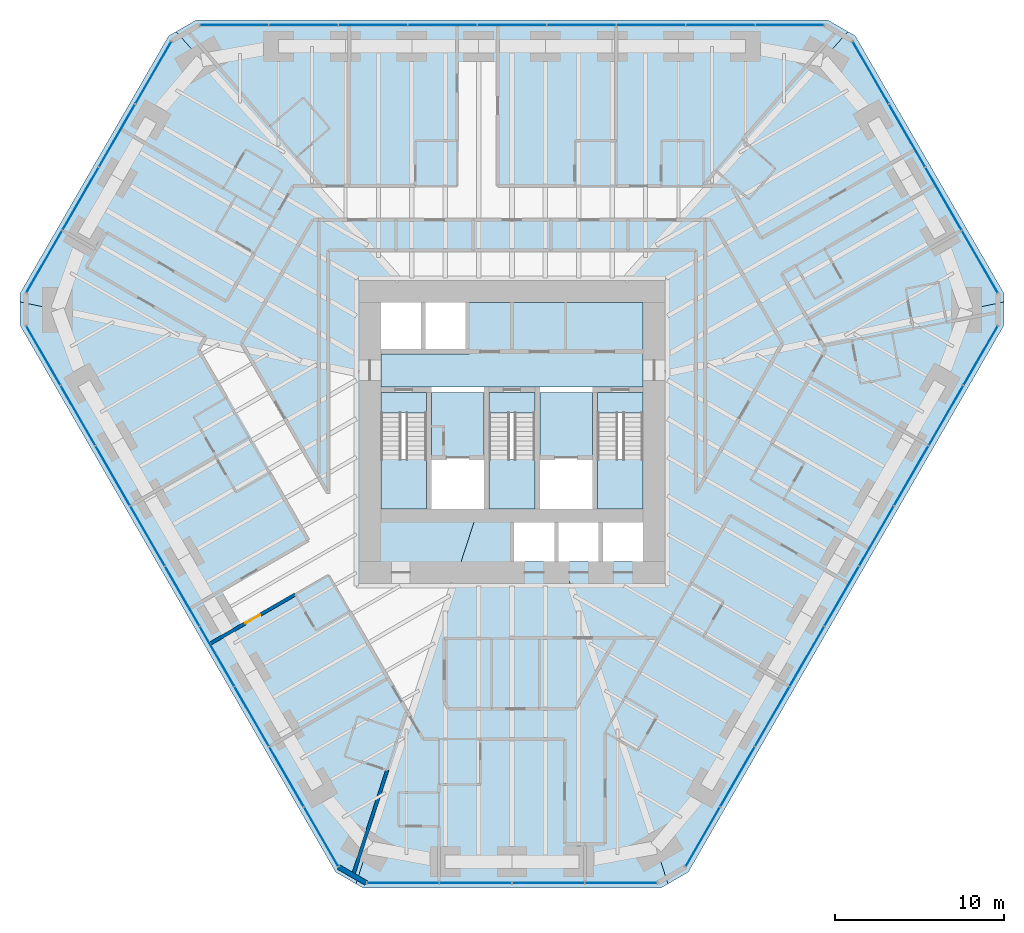
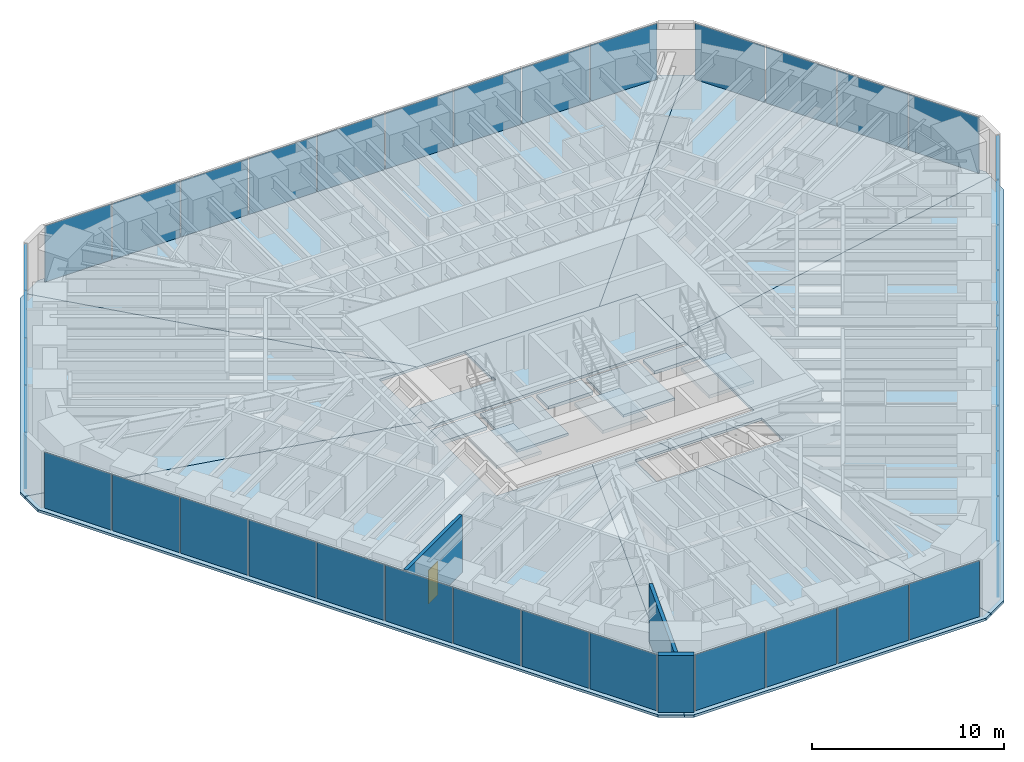
# One storey, part 10 of 17: 39 plates, 15 slabs, 3 walls, 1 door, 1 opening, 9 elements without a shape of their own.
"""IFC4 building model written with IfcOpenShell, lengths in metres."""

from ifc_helpers import new_model, si_unit, direction, frame, frame_2d, origin, origin_2d, place, context, subcontext, project, spatial, polyline, rectangle, outline, extrude, material, layer, layer_set, type_object, element, fill, aggregate, save


model = new_model("IFC4")

# Units and contexts
model_context = context("Model", 3, precision=1e-05, world=origin(), true_north=direction((0.0, 1.0)))
body_context = subcontext(model_context, "Body", "Model", "MODEL_VIEW")
ifc_project = project(units=[si_unit("LENGTHUNIT", "METRE"), si_unit("AREAUNIT", "SQUARE_METRE"), si_unit("VOLUMEUNIT", "CUBIC_METRE"), si_unit("PLANEANGLEUNIT", "RADIAN"), si_unit("MASSUNIT", "GRAM", prefix="KILO")], contexts=[model_context])

# Site, building, storey
site_placement = place(None, origin())
site = spatial("IfcSite", under=ifc_project, at=site_placement, CompositionType="ELEMENT")
building_placement = place(site_placement, origin())
building = spatial("IfcBuilding", under=site, at=building_placement, Name="Sandreach Pilgrim Tower", CompositionType="ELEMENT")
storey_placement = place(building_placement, frame((0.0, 0.0, 123.39990234375)))
storey = spatial("IfcBuildingStorey", under=building, at=storey_placement, Name="L30", CompositionType="ELEMENT", Elevation=123.39990234375)

# Curtain wall, plates
ifc_material_1 = material(Name="Aluminium framed curtain wall", Category="aluminium")
curtain_wall_type = type_object("IfcCurtainWallType", Name="Hotel tower curtain wall", PredefinedType="NOTDEFINED", material=ifc_material_1)
curtain_wall_1_placement = place(storey_placement, origin())
curtain_wall_1 = element("IfcCurtainWall", 1, at=curtain_wall_1_placement, inside=storey, type_object=curtain_wall_type, Name="CW-2 L30 N", PredefinedType="NOTDEFINED")
ifc_material_2 = material(Name="Insulating glass unit 8 heat-strengthened + 16 argon + 8 heat-strengthened", Category="glass")
ifc_layer_1 = layer(ifc_material_2, 0.031982421875)
ifc_layer_set_1 = layer_set([ifc_layer_1], Name="CW-2 panel")
plate_type = type_object("IfcPlateType", Name="CW-2 panel", PredefinedType="CURTAIN_PANEL", material=ifc_layer_set_1)
plate_1_placement = place(storey_placement, frame((-16.41162109375, 22.493896484375, 0.0), z_axis=(0.0, 0.0, 1.0), x_axis=(1.0, 0.0, 0.0)))
plate_1 = element("IfcPlate", 2, at=plate_1_placement, type_object=plate_type, Name="CW-2 panel 1", PredefinedType="CURTAIN_PANEL", context=body_context, shape_type="SweptSolid", body=[
    extrude(rectangle(XDim=4.009521484375, YDim=0.031982421875, at=origin_2d()), origin(), (0.0, 0.0, 1.0), 3.570068359375),
])
plate_2_placement = place(storey_placement, frame((-12.32080078125, 22.493896484375, 0.0), z_axis=(0.0, 0.0, 1.0), x_axis=(1.0, 0.0, 0.0)))
plate_2 = element("IfcPlate", 3, at=plate_2_placement, type_object=plate_type, Name="CW-2 panel 2", PredefinedType="CURTAIN_PANEL", context=body_context, shape_type="SweptSolid", body=[
    extrude(rectangle(XDim=4.0419921875, YDim=0.031982421875, at=origin_2d()), origin(), (0.0, 0.0, 1.0), 3.570068359375),
])
plate_3_placement = place(storey_placement, frame((-8.2138671875, 22.493896484375, 0.0), z_axis=(0.0, 0.0, 1.0), x_axis=(1.0, 0.0, 0.0)))
plate_3 = element("IfcPlate", 4, at=plate_3_placement, type_object=plate_type, Name="CW-2 panel 3", PredefinedType="CURTAIN_PANEL", context=body_context, shape_type="SweptSolid", body=[
    extrude(rectangle(XDim=4.0419921875, YDim=0.031982421875, at=origin_2d()), origin(), (0.0, 0.0, 1.0), 3.570068359375),
])
plate_4_placement = place(storey_placement, frame((-4.10693359375, 22.493896484375, 0.0), z_axis=(0.0, 0.0, 1.0), x_axis=(1.0, 0.0, 0.0)))
plate_4 = element("IfcPlate", 5, at=plate_4_placement, type_object=plate_type, Name="CW-2 panel 4", PredefinedType="CURTAIN_PANEL", context=body_context, shape_type="SweptSolid", body=[
    extrude(rectangle(XDim=4.0419921875, YDim=0.031982421875, at=origin_2d()), origin(), (0.0, 0.0, 1.0), 3.570068359375),
])
plate_5_placement = place(storey_placement, frame((0.0, 22.493896484375, 0.0), z_axis=(0.0, 0.0, 1.0), x_axis=(1.0, 0.0, 0.0)))
plate_5 = element("IfcPlate", 6, at=plate_5_placement, type_object=plate_type, Name="CW-2 panel 5", PredefinedType="CURTAIN_PANEL", context=body_context, shape_type="SweptSolid", body=[
    extrude(rectangle(XDim=4.0419921875, YDim=0.031982421875, at=origin_2d()), origin(), (0.0, 0.0, 1.0), 3.570068359375),
])
plate_6_placement = place(storey_placement, frame((4.10693359375, 22.493896484375, 0.0), z_axis=(0.0, 0.0, 1.0), x_axis=(1.0, 0.0, 0.0)))
plate_6 = element("IfcPlate", 7, at=plate_6_placement, type_object=plate_type, Name="CW-2 panel 6", PredefinedType="CURTAIN_PANEL", context=body_context, shape_type="SweptSolid", body=[
    extrude(rectangle(XDim=4.0419921875, YDim=0.031982421875, at=origin_2d()), origin(), (0.0, 0.0, 1.0), 3.570068359375),
])
plate_7_placement = place(storey_placement, frame((8.2138671875, 22.493896484375, 0.0), z_axis=(0.0, 0.0, 1.0), x_axis=(1.0, 0.0, 0.0)))
plate_7 = element("IfcPlate", 8, at=plate_7_placement, type_object=plate_type, Name="CW-2 panel 7", PredefinedType="CURTAIN_PANEL", context=body_context, shape_type="SweptSolid", body=[
    extrude(rectangle(XDim=4.0419921875, YDim=0.031982421875, at=origin_2d()), origin(), (0.0, 0.0, 1.0), 3.570068359375),
])
plate_8_placement = place(storey_placement, frame((12.32080078125, 22.493896484375, 0.0), z_axis=(0.0, 0.0, 1.0), x_axis=(1.0, 0.0, 0.0)))
plate_8 = element("IfcPlate", 9, at=plate_8_placement, type_object=plate_type, Name="CW-2 panel 8", PredefinedType="CURTAIN_PANEL", context=body_context, shape_type="SweptSolid", body=[
    extrude(rectangle(XDim=4.0419921875, YDim=0.031982421875, at=origin_2d()), origin(), (0.0, 0.0, 1.0), 3.570068359375),
])
plate_9_placement = place(storey_placement, frame((16.41162109375, 22.493896484375, 0.0), z_axis=(0.0, 0.0, 1.0), x_axis=(1.0, 0.0, 0.0)))
plate_9 = element("IfcPlate", 10, at=plate_9_placement, type_object=plate_type, Name="CW-2 panel 9", PredefinedType="CURTAIN_PANEL", context=body_context, shape_type="SweptSolid", body=[
    extrude(rectangle(XDim=4.009521484375, YDim=0.031982421875, at=origin_2d()), origin(), (0.0, 0.0, 1.0), 3.570068359375),
])
aggregate(curtain_wall_1, [plate_1, plate_2, plate_3, plate_4, plate_5, plate_6, plate_7, plate_8, plate_9])

curtain_wall_2_placement = place(storey_placement, origin())
curtain_wall_2 = element("IfcCurtainWall", 11, at=curtain_wall_2_placement, inside=storey, type_object=curtain_wall_type, Name="CW-2 L30 NE", PredefinedType="NOTDEFINED")
plate_10_placement = place(storey_placement, frame((21.194091796875, 19.67529296875, 0.0), z_axis=(0.0, 0.0, 1.0), x_axis=(0.5, -0.866025403784, 0.0)))
plate_10 = element("IfcPlate", 12, at=plate_10_placement, type_object=plate_type, Name="CW-2 panel 1", PredefinedType="CURTAIN_PANEL", context=body_context, shape_type="SweptSolid", body=[
    extrude(rectangle(XDim=4.208251953125, YDim=0.031982421875, at=origin_2d()), origin(), (0.0, 0.0, 1.0), 3.570068359375),
])
plate_11_placement = place(storey_placement, frame((23.3388671875, 15.96044921875, 0.0), z_axis=(0.0, 0.0, 1.0), x_axis=(0.5, -0.866025403784, 0.0)))
plate_11 = element("IfcPlate", 13, at=plate_11_placement, type_object=plate_type, Name="CW-2 panel 2", PredefinedType="CURTAIN_PANEL", context=body_context, shape_type="SweptSolid", body=[
    extrude(rectangle(XDim=4.24072265625, YDim=0.031982421875, at=origin_2d()), origin(), (0.0, 0.0, 1.0), 3.570068359375),
])
plate_12_placement = place(storey_placement, frame((25.49169921875, 12.231689453125, 0.0), z_axis=(0.0, 0.0, 1.0), x_axis=(0.5, -0.866025403784, 0.0)))
plate_12 = element("IfcPlate", 14, at=plate_12_placement, type_object=plate_type, Name="CW-2 panel 3", PredefinedType="CURTAIN_PANEL", context=body_context, shape_type="SweptSolid", body=[
    extrude(rectangle(XDim=4.24072265625, YDim=0.031982421875, at=origin_2d()), origin(), (0.0, 0.0, 1.0), 3.570068359375),
])
plate_13_placement = place(storey_placement, frame((27.63623046875, 8.516845703125, 0.0), z_axis=(0.0, 0.0, 1.0), x_axis=(0.5, -0.866025403784, 0.0)))
plate_13 = element("IfcPlate", 15, at=plate_13_placement, type_object=plate_type, Name="CW-2 panel 4", PredefinedType="CURTAIN_PANEL", context=body_context, shape_type="SweptSolid", body=[
    extrude(rectangle(XDim=4.208251953125, YDim=0.031982421875, at=origin_2d()), origin(), (0.0, 0.0, 1.0), 3.570068359375),
])
aggregate(curtain_wall_2, [plate_10, plate_11, plate_12, plate_13])

curtain_wall_3_placement = place(storey_placement, origin())
curtain_wall_3 = element("IfcCurtainWall", 16, at=curtain_wall_3_placement, inside=storey, type_object=curtain_wall_type, Name="CW-2 L30 SE", PredefinedType="NOTDEFINED")
plate_14_placement = place(storey_placement, frame((27.68603515625, 2.966064453125, 0.0), z_axis=(0.0, 0.0, 1.0), x_axis=(-0.5, -0.866025403784, 0.0)))
plate_14 = element("IfcPlate", 17, at=plate_14_placement, type_object=plate_type, Name="CW-2 panel 1", PredefinedType="CURTAIN_PANEL", context=body_context, shape_type="SweptSolid", body=[
    extrude(rectangle(XDim=4.009521484375, YDim=0.031982421875, at=origin_2d()), origin(), (0.0, 0.0, 1.0), 3.570068359375),
])
plate_15_placement = place(storey_placement, frame((25.640625, -0.57666015625, 0.0), z_axis=(0.0, 0.0, 1.0), x_axis=(-0.5, -0.866025403784, 0.0)))
plate_15 = element("IfcPlate", 18, at=plate_15_placement, type_object=plate_type, Name="CW-2 panel 2", PredefinedType="CURTAIN_PANEL", context=body_context, shape_type="SweptSolid", body=[
    extrude(rectangle(XDim=4.0419921875, YDim=0.031982421875, at=origin_2d()), origin(), (0.0, 0.0, 1.0), 3.570068359375),
])
plate_16_placement = place(storey_placement, frame((23.587158203125, -4.13330078125, 0.0), z_axis=(0.0, 0.0, 1.0), x_axis=(-0.5, -0.866025403784, 0.0)))
plate_16 = element("IfcPlate", 19, at=plate_16_placement, type_object=plate_type, Name="CW-2 panel 3", PredefinedType="CURTAIN_PANEL", context=body_context, shape_type="SweptSolid", body=[
    extrude(rectangle(XDim=4.0419921875, YDim=0.031982421875, at=origin_2d()), origin(), (0.0, 0.0, 1.0), 3.570068359375),
])
plate_17_placement = place(storey_placement, frame((21.53369140625, -7.690185546875, 0.0), z_axis=(0.0, 0.0, 1.0), x_axis=(-0.5, -0.866025403784, 0.0)))
plate_17 = element("IfcPlate", 20, at=plate_17_placement, type_object=plate_type, Name="CW-2 panel 4", PredefinedType="CURTAIN_PANEL", context=body_context, shape_type="SweptSolid", body=[
    extrude(rectangle(XDim=4.0419921875, YDim=0.031982421875, at=origin_2d()), origin(), (0.0, 0.0, 1.0), 3.570068359375),
])
plate_18_placement = place(storey_placement, frame((19.480224609375, -11.246826171875, 0.0), z_axis=(0.0, 0.0, 1.0), x_axis=(-0.5, -0.866025403784, 0.0)))
plate_18 = element("IfcPlate", 21, at=plate_18_placement, type_object=plate_type, Name="CW-2 panel 5", PredefinedType="CURTAIN_PANEL", context=body_context, shape_type="SweptSolid", body=[
    extrude(rectangle(XDim=4.0419921875, YDim=0.031982421875, at=origin_2d()), origin(), (0.0, 0.0, 1.0), 3.570068359375),
])
plate_19_placement = place(storey_placement, frame((17.4267578125, -14.8037109375, 0.0), z_axis=(0.0, 0.0, 1.0), x_axis=(-0.5, -0.866025403784, 0.0)))
plate_19 = element("IfcPlate", 22, at=plate_19_placement, type_object=plate_type, Name="CW-2 panel 6", PredefinedType="CURTAIN_PANEL", context=body_context, shape_type="SweptSolid", body=[
    extrude(rectangle(XDim=4.0419921875, YDim=0.031982421875, at=origin_2d()), origin(), (0.0, 0.0, 1.0), 3.570068359375),
])
plate_20_placement = place(storey_placement, frame((15.373291015625, -18.3603515625, 0.0), z_axis=(0.0, 0.0, 1.0), x_axis=(-0.5, -0.866025403784, 0.0)))
plate_20 = element("IfcPlate", 23, at=plate_20_placement, type_object=plate_type, Name="CW-2 panel 7", PredefinedType="CURTAIN_PANEL", context=body_context, shape_type="SweptSolid", body=[
    extrude(rectangle(XDim=4.0419921875, YDim=0.031982421875, at=origin_2d()), origin(), (0.0, 0.0, 1.0), 3.570068359375),
])
plate_21_placement = place(storey_placement, frame((13.31982421875, -21.917236328125, 0.0), z_axis=(0.0, 0.0, 1.0), x_axis=(-0.5, -0.866025403784, 0.0)))
plate_21 = element("IfcPlate", 24, at=plate_21_placement, type_object=plate_type, Name="CW-2 panel 8", PredefinedType="CURTAIN_PANEL", context=body_context, shape_type="SweptSolid", body=[
    extrude(rectangle(XDim=4.0419921875, YDim=0.031982421875, at=origin_2d()), origin(), (0.0, 0.0, 1.0), 3.570068359375),
])
plate_22_placement = place(storey_placement, frame((11.2744140625, -25.459716796875, 0.0), z_axis=(0.0, 0.0, 1.0), x_axis=(-0.5, -0.866025403784, 0.0)))
plate_22 = element("IfcPlate", 25, at=plate_22_placement, type_object=plate_type, Name="CW-2 panel 9", PredefinedType="CURTAIN_PANEL", context=body_context, shape_type="SweptSolid", body=[
    extrude(rectangle(XDim=4.009521484375, YDim=0.031982421875, at=origin_2d()), origin(), (0.0, 0.0, 1.0), 3.570068359375),
])
aggregate(curtain_wall_3, [plate_14, plate_15, plate_16, plate_17, plate_18, plate_19, plate_20, plate_21, plate_22])

curtain_wall_4_placement = place(storey_placement, origin())
curtain_wall_4 = element("IfcCurtainWall", 26, at=curtain_wall_4_placement, inside=storey, type_object=curtain_wall_type, Name="CW-2 L30 S", PredefinedType="NOTDEFINED")
plate_23_placement = place(storey_placement, frame((6.4423828125, -28.192138671875, 0.0), z_axis=(0.0, 0.0, 1.0), x_axis=(-1.0, 0.0, 0.0)))
plate_23 = element("IfcPlate", 27, at=plate_23_placement, type_object=plate_type, Name="CW-2 panel 1", PredefinedType="CURTAIN_PANEL", context=body_context, shape_type="SweptSolid", body=[
    extrude(rectangle(XDim=4.208251953125, YDim=0.031982421875, at=origin_2d()), origin(), (0.0, 0.0, 1.0), 3.570068359375),
])
plate_24_placement = place(storey_placement, frame((2.15283203125, -28.192138671875, 0.0), z_axis=(0.0, 0.0, 1.0), x_axis=(-1.0, 0.0, 0.0)))
plate_24 = element("IfcPlate", 28, at=plate_24_placement, type_object=plate_type, Name="CW-2 panel 2", PredefinedType="CURTAIN_PANEL", context=body_context, shape_type="SweptSolid", body=[
    extrude(rectangle(XDim=4.24072265625, YDim=0.031982421875, at=origin_2d()), origin(), (0.0, 0.0, 1.0), 3.570068359375),
])
plate_25_placement = place(storey_placement, frame((-2.15283203125, -28.192138671875, 0.0), z_axis=(0.0, 0.0, 1.0), x_axis=(-1.0, 0.0, 0.0)))
plate_25 = element("IfcPlate", 29, at=plate_25_placement, type_object=plate_type, Name="CW-2 panel 3", PredefinedType="CURTAIN_PANEL", context=body_context, shape_type="SweptSolid", body=[
    extrude(rectangle(XDim=4.24072265625, YDim=0.031982421875, at=origin_2d()), origin(), (0.0, 0.0, 1.0), 3.570068359375),
])
plate_26_placement = place(storey_placement, frame((-6.4423828125, -28.192138671875, 0.0), z_axis=(0.0, 0.0, 1.0), x_axis=(-1.0, 0.0, 0.0)))
plate_26 = element("IfcPlate", 30, at=plate_26_placement, type_object=plate_type, Name="CW-2 panel 4", PredefinedType="CURTAIN_PANEL", context=body_context, shape_type="SweptSolid", body=[
    extrude(rectangle(XDim=4.208251953125, YDim=0.031982421875, at=origin_2d()), origin(), (0.0, 0.0, 1.0), 3.570068359375),
])
aggregate(curtain_wall_4, [plate_23, plate_24, plate_25, plate_26])

curtain_wall_5_placement = place(storey_placement, origin())
curtain_wall_5 = element("IfcCurtainWall", 31, at=curtain_wall_5_placement, inside=storey, type_object=curtain_wall_type, Name="CW-2 L30 SW", PredefinedType="NOTDEFINED")
plate_27_placement = place(storey_placement, frame((-11.2744140625, -25.459716796875, 0.0), z_axis=(0.0, 0.0, 1.0), x_axis=(-0.5, 0.866025403784, 0.0)))
plate_27 = element("IfcPlate", 32, at=plate_27_placement, type_object=plate_type, Name="CW-2 panel 1", PredefinedType="CURTAIN_PANEL", context=body_context, shape_type="SweptSolid", body=[
    extrude(rectangle(XDim=4.009521484375, YDim=0.031982421875, at=origin_2d()), origin(), (0.0, 0.0, 1.0), 3.570068359375),
])
plate_28_placement = place(storey_placement, frame((-13.31982421875, -21.917236328125, 0.0), z_axis=(0.0, 0.0, 1.0), x_axis=(-0.5, 0.866025403784, 0.0)))
plate_28 = element("IfcPlate", 33, at=plate_28_placement, type_object=plate_type, Name="CW-2 panel 2", PredefinedType="CURTAIN_PANEL", context=body_context, shape_type="SweptSolid", body=[
    extrude(rectangle(XDim=4.0419921875, YDim=0.031982421875, at=origin_2d()), origin(), (0.0, 0.0, 1.0), 3.570068359375),
])
plate_29_placement = place(storey_placement, frame((-15.373291015625, -18.3603515625, 0.0), z_axis=(0.0, 0.0, 1.0), x_axis=(-0.5, 0.866025403784, 0.0)))
plate_29 = element("IfcPlate", 34, at=plate_29_placement, type_object=plate_type, Name="CW-2 panel 3", PredefinedType="CURTAIN_PANEL", context=body_context, shape_type="SweptSolid", body=[
    extrude(rectangle(XDim=4.0419921875, YDim=0.031982421875, at=origin_2d()), origin(), (0.0, 0.0, 1.0), 3.570068359375),
])
plate_30_placement = place(storey_placement, frame((-17.4267578125, -14.8037109375, 0.0), z_axis=(0.0, 0.0, 1.0), x_axis=(-0.5, 0.866025403784, 0.0)))
plate_30 = element("IfcPlate", 35, at=plate_30_placement, type_object=plate_type, Name="CW-2 panel 4", PredefinedType="CURTAIN_PANEL", context=body_context, shape_type="SweptSolid", body=[
    extrude(rectangle(XDim=4.0419921875, YDim=0.031982421875, at=origin_2d()), origin(), (0.0, 0.0, 1.0), 3.570068359375),
])
plate_31_placement = place(storey_placement, frame((-19.480224609375, -11.246826171875, 0.0), z_axis=(0.0, 0.0, 1.0), x_axis=(-0.5, 0.866025403784, 0.0)))
plate_31 = element("IfcPlate", 36, at=plate_31_placement, type_object=plate_type, Name="CW-2 panel 5", PredefinedType="CURTAIN_PANEL", context=body_context, shape_type="SweptSolid", body=[
    extrude(rectangle(XDim=4.0419921875, YDim=0.031982421875, at=origin_2d()), origin(), (0.0, 0.0, 1.0), 3.570068359375),
])
plate_32_placement = place(storey_placement, frame((-21.53369140625, -7.690185546875, 0.0), z_axis=(0.0, 0.0, 1.0), x_axis=(-0.5, 0.866025403784, 0.0)))
plate_32 = element("IfcPlate", 37, at=plate_32_placement, type_object=plate_type, Name="CW-2 panel 6", PredefinedType="CURTAIN_PANEL", context=body_context, shape_type="SweptSolid", body=[
    extrude(rectangle(XDim=4.0419921875, YDim=0.031982421875, at=origin_2d()), origin(), (0.0, 0.0, 1.0), 3.570068359375),
])
plate_33_placement = place(storey_placement, frame((-23.587158203125, -4.13330078125, 0.0), z_axis=(0.0, 0.0, 1.0), x_axis=(-0.5, 0.866025403784, 0.0)))
plate_33 = element("IfcPlate", 38, at=plate_33_placement, type_object=plate_type, Name="CW-2 panel 7", PredefinedType="CURTAIN_PANEL", context=body_context, shape_type="SweptSolid", body=[
    extrude(rectangle(XDim=4.0419921875, YDim=0.031982421875, at=origin_2d()), origin(), (0.0, 0.0, 1.0), 3.570068359375),
])
plate_34_placement = place(storey_placement, frame((-25.640625, -0.57666015625, 0.0), z_axis=(0.0, 0.0, 1.0), x_axis=(-0.5, 0.866025403784, 0.0)))
plate_34 = element("IfcPlate", 39, at=plate_34_placement, type_object=plate_type, Name="CW-2 panel 8", PredefinedType="CURTAIN_PANEL", context=body_context, shape_type="SweptSolid", body=[
    extrude(rectangle(XDim=4.0419921875, YDim=0.031982421875, at=origin_2d()), origin(), (0.0, 0.0, 1.0), 3.570068359375),
])
plate_35_placement = place(storey_placement, frame((-27.68603515625, 2.966064453125, 0.0), z_axis=(0.0, 0.0, 1.0), x_axis=(-0.5, 0.866025403784, 0.0)))
plate_35 = element("IfcPlate", 40, at=plate_35_placement, type_object=plate_type, Name="CW-2 panel 9", PredefinedType="CURTAIN_PANEL", context=body_context, shape_type="SweptSolid", body=[
    extrude(rectangle(XDim=4.009521484375, YDim=0.031982421875, at=origin_2d()), origin(), (0.0, 0.0, 1.0), 3.570068359375),
])
aggregate(curtain_wall_5, [plate_27, plate_28, plate_29, plate_30, plate_31, plate_32, plate_33, plate_34, plate_35])

curtain_wall_6_placement = place(storey_placement, origin())
curtain_wall_6 = element("IfcCurtainWall", 41, at=curtain_wall_6_placement, inside=storey, type_object=curtain_wall_type, Name="CW-2 L30 NW", PredefinedType="NOTDEFINED")
plate_36_placement = place(storey_placement, frame((-27.63623046875, 8.516845703125, 0.0), z_axis=(0.0, 0.0, 1.0), x_axis=(0.5, 0.866025403784, 0.0)))
plate_36 = element("IfcPlate", 42, at=plate_36_placement, type_object=plate_type, Name="CW-2 panel 1", PredefinedType="CURTAIN_PANEL", context=body_context, shape_type="SweptSolid", body=[
    extrude(rectangle(XDim=4.208251953125, YDim=0.031982421875, at=origin_2d()), origin(), (0.0, 0.0, 1.0), 3.570068359375),
])
plate_37_placement = place(storey_placement, frame((-25.49169921875, 12.231689453125, 0.0), z_axis=(0.0, 0.0, 1.0), x_axis=(0.5, 0.866025403784, 0.0)))
plate_37 = element("IfcPlate", 43, at=plate_37_placement, type_object=plate_type, Name="CW-2 panel 2", PredefinedType="CURTAIN_PANEL", context=body_context, shape_type="SweptSolid", body=[
    extrude(rectangle(XDim=4.24072265625, YDim=0.031982421875, at=origin_2d()), origin(), (0.0, 0.0, 1.0), 3.570068359375),
])
plate_38_placement = place(storey_placement, frame((-23.3388671875, 15.96044921875, 0.0), z_axis=(0.0, 0.0, 1.0), x_axis=(0.5, 0.866025403784, 0.0)))
plate_38 = element("IfcPlate", 44, at=plate_38_placement, type_object=plate_type, Name="CW-2 panel 3", PredefinedType="CURTAIN_PANEL", context=body_context, shape_type="SweptSolid", body=[
    extrude(rectangle(XDim=4.24072265625, YDim=0.031982421875, at=origin_2d()), origin(), (0.0, 0.0, 1.0), 3.570068359375),
])
plate_39_placement = place(storey_placement, frame((-21.194091796875, 19.67529296875, 0.0), z_axis=(0.0, 0.0, 1.0), x_axis=(0.5, 0.866025403784, 0.0)))
plate_39 = element("IfcPlate", 45, at=plate_39_placement, type_object=plate_type, Name="CW-2 panel 4", PredefinedType="CURTAIN_PANEL", context=body_context, shape_type="SweptSolid", body=[
    extrude(rectangle(XDim=4.208251953125, YDim=0.031982421875, at=origin_2d()), origin(), (0.0, 0.0, 1.0), 3.570068359375),
])
aggregate(curtain_wall_6, [plate_36, plate_37, plate_38, plate_39])

# Slabs
ifc_material_3 = material(Name="Concrete 8000 psi", Category="concrete")
ifc_layer_2 = layer(ifc_material_3, 0.159912109375)
ifc_layer_set_2 = layer_set([ifc_layer_2], Name="Composite floor slab 160")
slab_type_1 = type_object("IfcSlabType", Name="Composite floor slab 160", PredefinedType="FLOOR", material=ifc_layer_set_2)
slab_1_placement = place(storey_placement, frame((0.0, 0.0, -0.159912109375)))
element("IfcSlab", 46, at=slab_1_placement, inside=storey, type_object=slab_type_1, Name="Floor slab L30 N sector", PredefinedType="FLOOR", context=body_context, shape_type="SweptSolid", body=[
    extrude(outline(polyline([(-18.654541015625, 22.793701171875), (18.654541015625, 22.793701171875), (19.848388671875, 22.1044921875), (5.477294921875, 6.10009765625), (-5.477294921875, 6.10009765625), (-19.848388671875, 22.1044921875), (-18.654541015625, 22.793701171875)])), origin(), (0.0, 0.0, 1.0), 0.159912109375),
])
slab_2_placement = place(storey_placement, frame((0.0, 0.0, -0.159912109375)))
element("IfcSlab", 47, at=slab_2_placement, inside=storey, type_object=slab_type_1, Name="Floor slab L30 NE sector", PredefinedType="FLOOR", context=body_context, shape_type="SweptSolid", body=[
    extrude(outline(polyline([(20.28271484375, 21.853759765625), (29.0673828125, 6.638427734375), (29.0673828125, 6.13720703125), (7.75, 1.63623046875), (7.75, 6.10009765625), (5.477294921875, 6.10009765625), (19.848388671875, 22.1044921875), (20.28271484375, 21.853759765625)])), origin(), (0.0, 0.0, 1.0), 0.159912109375),
])
slab_3_placement = place(storey_placement, frame((0.0, 0.0, -0.159912109375)))
element("IfcSlab", 48, at=slab_3_placement, inside=storey, type_object=slab_type_1, Name="Floor slab L30 SE sector", PredefinedType="FLOOR", context=body_context, shape_type="SweptSolid", body=[
    extrude(outline(polyline([(29.0673828125, 4.75830078125), (10.41259765625, -27.55224609375), (9.21875, -28.241455078125), (3.003173828125, -9.199951171875), (7.75, -9.199951171875), (7.75, -6.89990234375), (2.252197265625, -6.89990234375), (1.9912109375, -6.10009765625), (7.75, -6.10009765625), (7.75, 1.63623046875), (29.0673828125, 6.13720703125), (29.0673828125, 4.75830078125)])), origin(), (0.0, 0.0, 1.0), 0.159912109375),
])
slab_4_placement = place(storey_placement, frame((0.0, 0.0, -0.159912109375)))
element("IfcSlab", 49, at=slab_4_placement, inside=storey, type_object=slab_type_1, Name="Floor slab L30 S sector", PredefinedType="FLOOR", context=body_context, shape_type="SweptSolid", body=[
    extrude(outline(polyline([(8.78466796875, -28.4921875), (-8.78466796875, -28.4921875), (-9.21875, -28.241455078125), (-1.9912109375, -6.10009765625), (1.9912109375, -6.10009765625), (2.252197265625, -6.89990234375), (0.125, -6.89990234375), (0.125, -9.199951171875), (3.003173828125, -9.199951171875), (9.21875, -28.241455078125), (8.78466796875, -28.4921875)])), origin(), (0.0, 0.0, 1.0), 0.159912109375),
])
slab_5_placement = place(storey_placement, frame((0.0, 0.0, -0.159912109375)))
element("IfcSlab", 50, at=slab_5_placement, inside=storey, type_object=slab_type_1, Name="Floor slab L30 SW sector", PredefinedType="FLOOR", context=body_context, shape_type="SweptSolid", body=[
    extrude(outline(polyline([(-10.41259765625, -27.55224609375), (-29.0673828125, 4.75830078125), (-29.0673828125, 6.13720703125), (-7.75, 1.63623046875), (-7.75, -6.10009765625), (-1.9912109375, -6.10009765625), (-9.21875, -28.241455078125), (-10.41259765625, -27.55224609375)])), origin(), (0.0, 0.0, 1.0), 0.159912109375),
])
slab_6_placement = place(storey_placement, frame((0.0, 0.0, -0.159912109375)))
element("IfcSlab", 51, at=slab_6_placement, inside=storey, type_object=slab_type_1, Name="Floor slab L30 NW sector", PredefinedType="FLOOR", context=body_context, shape_type="SweptSolid", body=[
    extrude(outline(polyline([(-29.0673828125, 6.638427734375), (-20.28271484375, 21.853759765625), (-19.848388671875, 22.1044921875), (-5.477294921875, 6.10009765625), (-7.75, 6.10009765625), (-7.75, 1.63623046875), (-29.0673828125, 6.13720703125), (-29.0673828125, 6.638427734375)])), origin(), (0.0, 0.0, 1.0), 0.159912109375),
])
slab_7_placement = place(storey_placement, frame((0.0, 0.0, -0.159912109375)))
element("IfcSlab", 52, at=slab_7_placement, inside=storey, type_object=slab_type_1, Name="Core floor slab and stores L30", PredefinedType="FLOOR", context=body_context, shape_type="SweptSolid", body=[
    extrude(outline(polyline([(-7.75, 3.050048828125), (-5.375, 3.050048828125), (-5.125, 3.050048828125), (-2.5, 3.050048828125), (-2.5, 3.35009765625), (-2.60009765625, 3.35009765625), (-2.60009765625, 6.10009765625), (7.75, 6.10009765625), (7.75, 1.10009765625), (5.050048828125, 1.10009765625), (4.75, 1.10009765625), (1.64990234375, 1.10009765625), (1.35009765625, 1.10009765625), (-1.35009765625, 1.10009765625), (-1.64990234375, 1.10009765625), (-4.75, 1.10009765625), (-5.050048828125, 1.10009765625), (-7.75, 1.10009765625), (-7.75, 3.050048828125)])), origin(), (0.0, 0.0, 1.0), 0.159912109375),
])
slab_8_placement = place(storey_placement, frame((0.0, 0.0, -0.159912109375)))
element("IfcSlab", 53, at=slab_8_placement, inside=storey, type_object=slab_type_1, Name="Core floor slab and stores L30 2", PredefinedType="FLOOR", context=body_context, shape_type="SweptSolid", body=[
    extrude(outline(polyline([(-1.64990234375, -3.050048828125), (-4.75, -3.050048828125), (-4.75, 0.800048828125), (-1.64990234375, 0.800048828125), (-1.64990234375, -3.050048828125)])), origin(), (0.0, 0.0, 1.0), 0.159912109375),
])
slab_9_placement = place(storey_placement, frame((0.0, 0.0, -0.159912109375)))
element("IfcSlab", 54, at=slab_9_placement, inside=storey, type_object=slab_type_1, Name="Core floor slab and stores L30 3", PredefinedType="FLOOR", context=body_context, shape_type="SweptSolid", body=[
    extrude(outline(polyline([(4.75, -3.050048828125), (1.64990234375, -3.050048828125), (1.64990234375, 0.800048828125), (4.75, 0.800048828125), (4.75, -3.050048828125)])), origin(), (0.0, 0.0, 1.0), 0.159912109375),
])

# Stair, slabs
ifc_material_4 = material(Name="Concrete 8000 psi", Category="concrete")
stair_type = type_object("IfcStairType", Name="Core exit stair", PredefinedType="HALF_TURN_STAIR", material=ifc_material_4)
stair_1_placement = place(storey_placement, origin())
stair_1 = element("IfcStair", 55, at=stair_1_placement, inside=storey, type_object=stair_type, Name="Exit stair ST1 L30", PredefinedType="HALF_TURN_STAIR")
ifc_material_5 = material(Name="Concrete 8000 psi", Category="concrete")
ifc_layer_3 = layer(ifc_material_5, 0.199951171875)
ifc_layer_set_3 = layer_set([ifc_layer_3], Name="Core stair landing 200")
slab_type_2 = type_object("IfcSlabType", Name="Core stair landing 200", PredefinedType="LANDING", material=ifc_layer_set_3)
slab_10_placement = place(storey_placement, frame((0.0, 0.0, -0.199951171875)))
slab_10 = element("IfcSlab", 56, at=slab_10_placement, type_object=slab_type_2, Name="ST1 landing 1", PredefinedType="LANDING", context=body_context, shape_type="SweptSolid", body=[
    extrude(outline(polyline([(-7.75, -0.425048828125), (-5.050048828125, -0.425048828125), (-5.050048828125, 0.800048828125), (-7.75, 0.800048828125), (-7.75, -0.425048828125)])), origin(), (0.0, 0.0, 1.0), 0.199951171875),
])
slab_11_placement = place(storey_placement, frame((0.0, 0.0, 1.7001953125)))
slab_11 = element("IfcSlab", 57, at=slab_11_placement, type_object=slab_type_2, Name="ST1 landing 2", PredefinedType="LANDING", context=body_context, shape_type="SweptSolid", body=[
    extrude(outline(polyline([(-7.75, -6.10009765625), (-5.050048828125, -6.10009765625), (-5.050048828125, -3.175048828125), (-7.75, -3.175048828125), (-7.75, -6.10009765625)])), origin(), (0.0, 0.0, 1.0), 0.199951171875),
])
aggregate(stair_1, [slab_10, slab_11])

stair_2_placement = place(storey_placement, origin())
stair_2 = element("IfcStair", 58, at=stair_2_placement, inside=storey, type_object=stair_type, Name="Exit stair ST3 L30", PredefinedType="HALF_TURN_STAIR")
slab_12_placement = place(storey_placement, frame((0.0, 0.0, -0.199951171875)))
slab_12 = element("IfcSlab", 59, at=slab_12_placement, type_object=slab_type_2, Name="ST3 landing 1", PredefinedType="LANDING", context=body_context, shape_type="SweptSolid", body=[
    extrude(outline(polyline([(-1.35009765625, -0.425048828125), (1.35009765625, -0.425048828125), (1.35009765625, 0.800048828125), (-1.35009765625, 0.800048828125), (-1.35009765625, -0.425048828125)])), origin(), (0.0, 0.0, 1.0), 0.199951171875),
])
slab_13_placement = place(storey_placement, frame((0.0, 0.0, 1.7001953125)))
slab_13 = element("IfcSlab", 60, at=slab_13_placement, type_object=slab_type_2, Name="ST3 landing 2", PredefinedType="LANDING", context=body_context, shape_type="SweptSolid", body=[
    extrude(outline(polyline([(-1.35009765625, -6.10009765625), (1.35009765625, -6.10009765625), (1.35009765625, -3.175048828125), (-1.35009765625, -3.175048828125), (-1.35009765625, -6.10009765625)])), origin(), (0.0, 0.0, 1.0), 0.199951171875),
])
aggregate(stair_2, [slab_12, slab_13])

stair_3_placement = place(storey_placement, origin())
stair_3 = element("IfcStair", 61, at=stair_3_placement, inside=storey, type_object=stair_type, Name="Exit stair ST2 L30", PredefinedType="HALF_TURN_STAIR")
slab_14_placement = place(storey_placement, frame((0.0, 0.0, -0.199951171875)))
slab_14 = element("IfcSlab", 62, at=slab_14_placement, type_object=slab_type_2, Name="ST2 landing 1", PredefinedType="LANDING", context=body_context, shape_type="SweptSolid", body=[
    extrude(outline(polyline([(5.050048828125, -0.425048828125), (7.75, -0.425048828125), (7.75, 0.800048828125), (5.050048828125, 0.800048828125), (5.050048828125, -0.425048828125)])), origin(), (0.0, 0.0, 1.0), 0.199951171875),
])
slab_15_placement = place(storey_placement, frame((0.0, 0.0, 1.7001953125)))
slab_15 = element("IfcSlab", 63, at=slab_15_placement, type_object=slab_type_2, Name="ST2 landing 2", PredefinedType="LANDING", context=body_context, shape_type="SweptSolid", body=[
    extrude(outline(polyline([(5.050048828125, -6.10009765625), (7.75, -6.10009765625), (7.75, -3.175048828125), (5.050048828125, -3.175048828125), (5.050048828125, -6.10009765625)])), origin(), (0.0, 0.0, 1.0), 0.199951171875),
])
aggregate(stair_3, [slab_14, slab_15])

# Wall, opening, door
ifc_material_6 = material(Name="Gypsum board on steel studs, two layers each side", Category="steel")
ifc_layer_4 = layer(ifc_material_6, 0.199951171875)
ifc_layer_set_4 = layer_set([ifc_layer_4], Name="Corridor wall 200")
wall_type_1 = type_object("IfcWallType", Name="Corridor wall 200", PredefinedType="PARTITIONING", material=ifc_layer_set_4)
wall_1_placement = place(storey_placement, frame((-17.823974609375, -14.044921875, 0.0), z_axis=(0.0, 0.0, 1.0), x_axis=(0.866007919525, 0.500030282404, 0.0)))
wall_1 = element("IfcWall", 64, at=wall_1_placement, inside=storey, type_object=wall_type_1, Name="Corridor wall L30-010", PredefinedType="PARTITIONING", context=body_context, shape_type="SweptSolid", body=[
    extrude(rectangle(XDim=5.789794921875, YDim=0.199951171875, at=frame_2d((2.89501953125, 0.0))), origin(), (0.0, 0.0, 1.0), 3.64013671875),
])
opening_placement = place(wall_1_placement, frame((2.39501953125, 0.0, 0.0)))
opening = element("IfcOpeningElement", 65, at=opening_placement, cuts=wall_1, Name="Opening D10-15", PredefinedType="OPENING", context=body_context, shape_type="SweptSolid", body=[
    extrude(rectangle(XDim=1.0, YDim=2.1298828125, at=frame_2d((0.5, 1.06494140625))), frame((0.0, 0.10009765625, 0.0), z_axis=(0.0, -1.0, 0.0), x_axis=(1.0, 0.0, 0.0)), (0.0, 0.0, 1.0), 0.199951171875),
])
ifc_material_7 = material(Name="Steel door and frame", Category="steel")
door_type = type_object("IfcDoorType", Name="Guest room entry door", OperationType="SINGLE_SWING_LEFT", PredefinedType="DOOR", material=ifc_material_7)
door_placement = place(opening_placement, origin())
door = element("IfcDoor", 66, at=door_placement, inside=storey, type_object=door_type, Name="Door 3015", OperationType="SINGLE_SWING_LEFT", OverallHeight=2.1298828125, OverallWidth=1.0, PredefinedType="DOOR", context=body_context, shape_type="SweptSolid", body=[
    extrude(rectangle(XDim=1.0, YDim=2.1298828125, at=frame_2d((0.5, 1.06494140625))), frame((0.0, 0.02490234375, 0.0), z_axis=(0.0, -1.0, 0.0), x_axis=(1.0, 0.0, 0.0)), (0.0, 0.0, 1.0), 0.050048828125),
])
fill(opening, door)

# Walls
ifc_material_8 = material(Name="Double steel stud acoustic wall, gypsum board", Category="steel")
ifc_layer_5 = layer(ifc_material_8, 0.199951171875)
ifc_layer_set_5 = layer_set([ifc_layer_5], Name="Party wall 200")
wall_type_2 = type_object("IfcWallType", Name="Party wall 200", PredefinedType="PARTITIONING", material=ifc_layer_set_5)
wall_2_placement = place(storey_placement, frame((-7.3701171875, -21.530029296875, 0.0), z_axis=(0.0, 0.0, 1.0), x_axis=(-0.309817104215, -0.950796172655, 0.0)))
element("IfcWall", 67, at=wall_2_placement, inside=storey, type_object=wall_type_2, Name="Party wall L30-056", PredefinedType="PARTITIONING", context=body_context, shape_type="SweptSolid", body=[
    extrude(rectangle(XDim=6.553955078125, YDim=0.199951171875, at=frame_2d((3.27685546875, 0.0))), origin(), (0.0, 0.0, 1.0), 3.64013671875),
])
ifc_material_9 = material(Name="Terracotta rainscreen on concrete", Category="masonry")
ifc_layer_6 = layer(ifc_material_9, 0.300048828125)
ifc_layer_set_6 = layer_set([ifc_layer_6], Name="Terracotta chamfer pier")
wall_type_3 = type_object("IfcWallType", Name="Terracotta chamfer pier", PredefinedType="SOLIDWALL", material=ifc_layer_set_6)
wall_3_placement = place(storey_placement, frame((-8.611328125, -28.192138671875, 0.0), z_axis=(0.0, 0.0, 1.0), x_axis=(-0.866045024864, 0.499966013754, 0.0)))
element("IfcWall", 68, at=wall_3_placement, inside=storey, type_object=wall_type_3, Name="Chamfer pier L30 S", PredefinedType="SOLIDWALL", context=body_context, shape_type="SweptSolid", body=[
    extrude(rectangle(XDim=1.880126953125, YDim=0.300048828125, at=frame_2d((0.93994140625, 0.0))), origin(), (0.0, 0.0, 1.0), 3.64013671875),
])

save(model, "model.ifc")
